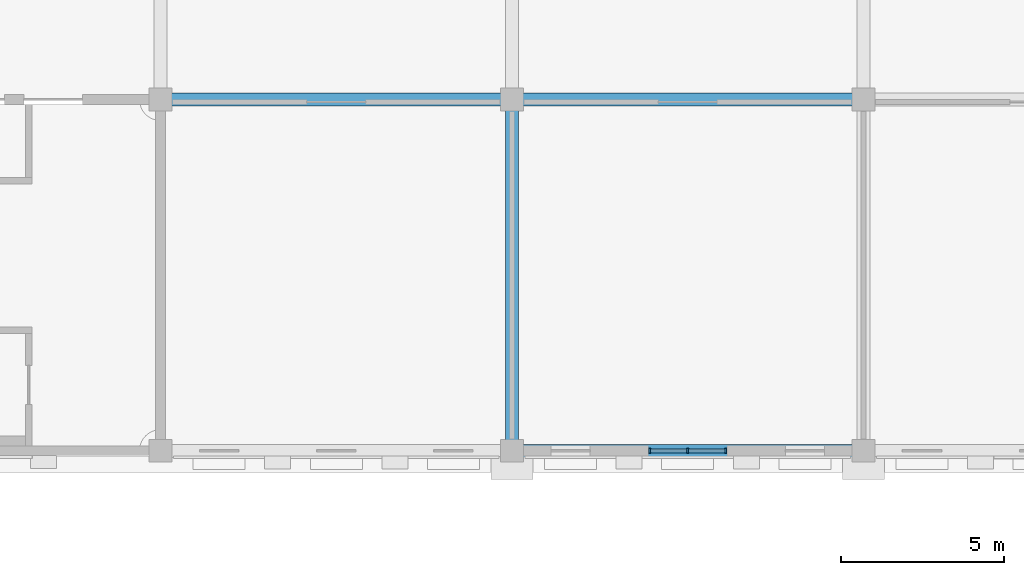
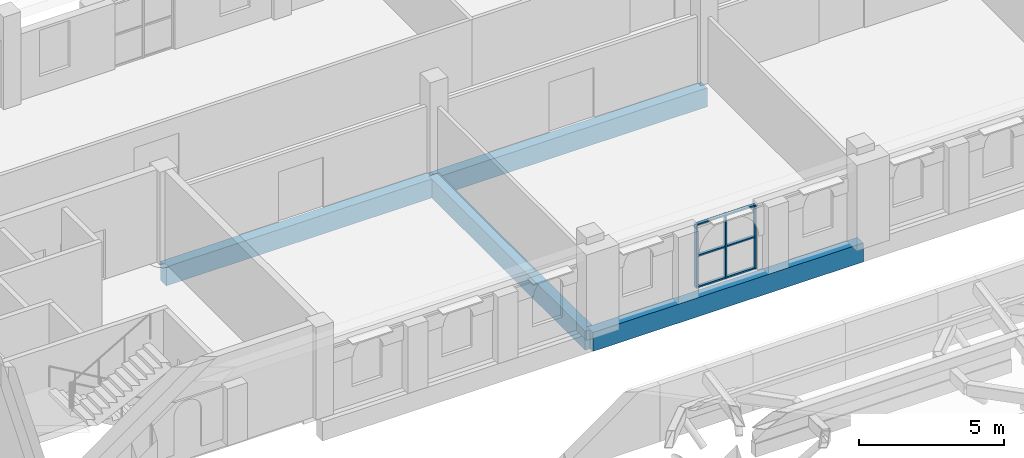
# One storey, part 5 of 32: 9 members, 4 beams, 1 element without a shape of its own.
"""IFC4 building model written with IfcOpenShell, lengths in metres."""

from ifc_helpers import new_model, si_unit, direction, frame, origin, origin_2d, place, context, subcontext, project, spatial, rectangle, extrude, material, layer, layer_set, material_profile, profile_set, type_object, element, aggregate, save


model = new_model("IFC4")

# Units and contexts
model_context = context("Model", 3, precision=1e-05, world=origin(), true_north=direction((0.0, 1.0)))
body_context = subcontext(model_context, "Body", "Model", "MODEL_VIEW")
ifc_project = project(units=[si_unit("LENGTHUNIT", "METRE"), si_unit("AREAUNIT", "SQUARE_METRE"), si_unit("VOLUMEUNIT", "CUBIC_METRE"), si_unit("PLANEANGLEUNIT", "RADIAN"), si_unit("MASSUNIT", "GRAM", prefix="KILO")], contexts=[model_context])

# Site, building, storey
site_placement = place(None, origin())
site = spatial("IfcSite", under=ifc_project, at=site_placement, CompositionType="ELEMENT")
building_placement = place(site_placement, origin())
building = spatial("IfcBuilding", under=site, at=building_placement, Name="Magnolia Steps Interchange", CompositionType="ELEMENT")
storey_placement = place(building_placement, frame((0.0, 0.0, 16.5)))
storey = spatial("IfcBuildingStorey", under=building, at=storey_placement, Name="L04", CompositionType="ELEMENT", Elevation=16.5)

# Curtain wall, members
ifc_material_1 = material(Name="Powder-coated aluminium and glass", Category="aluminium")
ifc_layer = layer(ifc_material_1, 0.199951171875)
ifc_layer_set = layer_set([ifc_layer], Name="Glazed central bay curtain wall")
curtain_wall_type = type_object("IfcCurtainWallType", Name="Glazed central bay curtain wall", PredefinedType="NOTDEFINED", material=ifc_layer_set)
curtain_wall_placement = place(storey_placement, origin())
curtain_wall = element("IfcCurtainWall", 1, at=curtain_wall_placement, inside=storey, type_object=curtain_wall_type, Name="Operations building south wall L04 glazing 2", PredefinedType="NOTDEFINED")
ifc_material_2 = material(Name="White powder-coated aluminium", Category="aluminium")
ifc_material_profile_1 = material_profile(ifc_material_2, rectangle(XDim=0.06005859375, YDim=0.14990234375, at=origin_2d()), Name="Aluminium mullion 60 x 150")
ifc_profile_set_1 = profile_set([ifc_material_profile_1], Name="White powder-coated aluminium")
member_type_1 = type_object("IfcMemberType", Name="Aluminium mullion 60 x 150", PredefinedType="MULLION", material=ifc_profile_set_1)
member_1_placement = place(storey_placement, frame((89.830078125, 96.39990234375, 0.0), z_axis=(0.0, 0.0, 1.0), x_axis=(1.0, 0.0, 0.0)))
member_1 = element("IfcMember", 2, at=member_1_placement, type_object=member_type_1, Name="CW2 mullion 1", PredefinedType="MULLION", context=body_context, shape_type="SweptSolid", body=[
    extrude(rectangle(XDim=0.06005859375, YDim=0.14990234375, at=origin_2d()), origin(), (0.0, 0.0, 1.0), 2.699951171875),
])
member_2_placement = place(storey_placement, frame((91.0, 96.39990234375, 0.0), z_axis=(0.0, 0.0, 1.0), x_axis=(1.0, 0.0, 0.0)))
member_2 = element("IfcMember", 3, at=member_2_placement, type_object=member_type_1, Name="CW2 mullion 2", PredefinedType="MULLION", context=body_context, shape_type="SweptSolid", body=[
    extrude(rectangle(XDim=0.06005859375, YDim=0.14990234375, at=origin_2d()), origin(), (0.0, 0.0, 1.0), 2.699951171875),
])
member_3_placement = place(storey_placement, frame((92.169921875, 96.39990234375, 0.0), z_axis=(0.0, 0.0, 1.0), x_axis=(1.0, 0.0, 0.0)))
member_3 = element("IfcMember", 4, at=member_3_placement, type_object=member_type_1, Name="CW2 mullion 3", PredefinedType="MULLION", context=body_context, shape_type="SweptSolid", body=[
    extrude(rectangle(XDim=0.06005859375, YDim=0.14990234375, at=origin_2d()), origin(), (0.0, 0.0, 1.0), 2.699951171875),
])
ifc_material_3 = material(Name="White powder-coated aluminium", Category="aluminium")
ifc_material_profile_2 = material_profile(ifc_material_3, rectangle(XDim=0.06005859375, YDim=0.1201171875, at=origin_2d()), Name="Aluminium transom 60 x 120")
ifc_profile_set_2 = profile_set([ifc_material_profile_2], Name="White powder-coated aluminium")
member_type_2 = type_object("IfcMemberType", Name="Aluminium transom 60 x 120", PredefinedType="USERDEFINED", material=ifc_profile_set_2)
member_4_placement = place(storey_placement, frame((89.860107421875, 96.39990234375, 0.030029296875), z_axis=(1.0, 0.0, 0.0), x_axis=(0.0, 0.0, 1.0)))
member_4 = element("IfcMember", 5, at=member_4_placement, type_object=member_type_2, Name="CW2 transom 1.1", ObjectType="TRANSOM", PredefinedType="USERDEFINED", context=body_context, shape_type="SweptSolid", body=[
    extrude(rectangle(XDim=0.06005859375, YDim=0.1201171875, at=origin_2d()), origin(), (0.0, 0.0, 1.0), 1.10986328125),
])
member_5_placement = place(storey_placement, frame((89.860107421875, 96.39990234375, 1.35009765625), z_axis=(1.0, 0.0, 0.0), x_axis=(0.0, 0.0, 1.0)))
member_5 = element("IfcMember", 6, at=member_5_placement, type_object=member_type_2, Name="CW2 transom 1.2", ObjectType="TRANSOM", PredefinedType="USERDEFINED", context=body_context, shape_type="SweptSolid", body=[
    extrude(rectangle(XDim=0.06005859375, YDim=0.1201171875, at=origin_2d()), origin(), (0.0, 0.0, 1.0), 1.10986328125),
])
member_6_placement = place(storey_placement, frame((89.860107421875, 96.39990234375, 2.669921875), z_axis=(1.0, 0.0, 0.0), x_axis=(0.0, 0.0, 1.0)))
member_6 = element("IfcMember", 7, at=member_6_placement, type_object=member_type_2, Name="CW2 transom 1.3", ObjectType="TRANSOM", PredefinedType="USERDEFINED", context=body_context, shape_type="SweptSolid", body=[
    extrude(rectangle(XDim=0.06005859375, YDim=0.1201171875, at=origin_2d()), origin(), (0.0, 0.0, 1.0), 1.10986328125),
])
member_7_placement = place(storey_placement, frame((91.030029296875, 96.39990234375, 0.030029296875), z_axis=(1.0, 0.0, 0.0), x_axis=(0.0, 0.0, 1.0)))
member_7 = element("IfcMember", 8, at=member_7_placement, type_object=member_type_2, Name="CW2 transom 2.1", ObjectType="TRANSOM", PredefinedType="USERDEFINED", context=body_context, shape_type="SweptSolid", body=[
    extrude(rectangle(XDim=0.06005859375, YDim=0.1201171875, at=origin_2d()), origin(), (0.0, 0.0, 1.0), 1.10986328125),
])
member_8_placement = place(storey_placement, frame((91.030029296875, 96.39990234375, 1.35009765625), z_axis=(1.0, 0.0, 0.0), x_axis=(0.0, 0.0, 1.0)))
member_8 = element("IfcMember", 9, at=member_8_placement, type_object=member_type_2, Name="CW2 transom 2.2", ObjectType="TRANSOM", PredefinedType="USERDEFINED", context=body_context, shape_type="SweptSolid", body=[
    extrude(rectangle(XDim=0.06005859375, YDim=0.1201171875, at=origin_2d()), origin(), (0.0, 0.0, 1.0), 1.10986328125),
])
member_9_placement = place(storey_placement, frame((91.030029296875, 96.39990234375, 2.669921875), z_axis=(1.0, 0.0, 0.0), x_axis=(0.0, 0.0, 1.0)))
member_9 = element("IfcMember", 10, at=member_9_placement, type_object=member_type_2, Name="CW2 transom 2.3", ObjectType="TRANSOM", PredefinedType="USERDEFINED", context=body_context, shape_type="SweptSolid", body=[
    extrude(rectangle(XDim=0.06005859375, YDim=0.1201171875, at=origin_2d()), origin(), (0.0, 0.0, 1.0), 1.10986328125),
])
aggregate(curtain_wall, [member_1, member_2, member_3, member_4, member_5, member_6, member_7, member_8, member_9])

# Beams
ifc_material_4 = material(Name="Concrete C40", Category="concrete")
ifc_material_profile_3 = material_profile(ifc_material_4, rectangle(XDim=0.39990234375, YDim=0.800048828125, at=origin_2d()), Name="RC400x800")
ifc_profile_set_3 = profile_set([ifc_material_profile_3], Name="Concrete C40")
beam_type = type_object("IfcBeamType", Name="RC beam 400x800", PredefinedType="BEAM", material=ifc_profile_set_3)
beam_1_placement = place(storey_placement, frame((85.60009765625, 96.39990234375, -0.699951171875), z_axis=(1.0, 0.0, 0.0), x_axis=(0.0, 1.0, 0.0)))
element("IfcBeam", 11, at=beam_1_placement, inside=storey, type_object=beam_type, Name="Beam L04 I 8-9", PredefinedType="BEAM", context=body_context, shape_type="SweptSolid", body=[
    extrude(rectangle(XDim=0.39990234375, YDim=0.800048828125, at=origin_2d()), origin(), (0.0, 0.0, 1.0), 10.7998046875),
])
beam_2_placement = place(storey_placement, frame((74.800048828125, 107.199951171875, -0.699951171875), z_axis=(1.0, 0.0, 0.0), x_axis=(0.0, 1.0, 0.0)))
element("IfcBeam", 12, at=beam_2_placement, inside=storey, type_object=beam_type, Name="Beam L04 J 7-8", PredefinedType="BEAM", context=body_context, shape_type="SweptSolid", body=[
    extrude(rectangle(XDim=0.39990234375, YDim=0.800048828125, at=origin_2d()), origin(), (0.0, 0.0, 1.0), 10.800048828125),
])
beam_3_placement = place(storey_placement, frame((85.60009765625, 107.199951171875, -0.699951171875), z_axis=(1.0, 0.0, 0.0), x_axis=(0.0, 1.0, 0.0)))
element("IfcBeam", 13, at=beam_3_placement, inside=storey, type_object=beam_type, Name="Beam L04 J 8-9", PredefinedType="BEAM", context=body_context, shape_type="SweptSolid", body=[
    extrude(rectangle(XDim=0.39990234375, YDim=0.800048828125, at=origin_2d()), origin(), (0.0, 0.0, 1.0), 10.7998046875),
])
beam_4_placement = place(storey_placement, frame((85.60009765625, 96.39990234375, -0.699951171875), z_axis=(0.0, 1.0, 0.0), x_axis=(-1.0, 0.0, 0.0)))
element("IfcBeam", 14, at=beam_4_placement, inside=storey, type_object=beam_type, Name="Beam L04 8 I-J", PredefinedType="BEAM", context=body_context, shape_type="SweptSolid", body=[
    extrude(rectangle(XDim=0.39990234375, YDim=0.800048828125, at=origin_2d()), origin(), (0.0, 0.0, 1.0), 10.800048828125),
])

save(model, "model.ifc")
